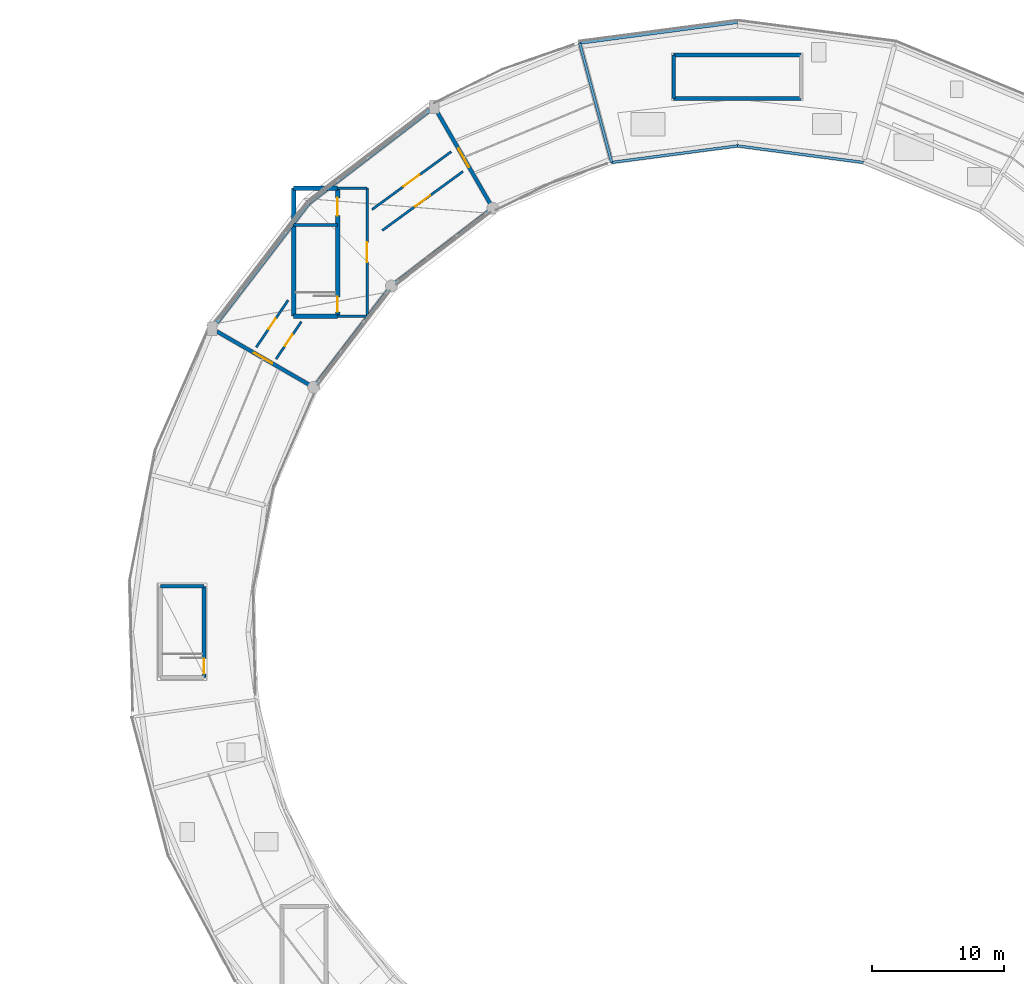
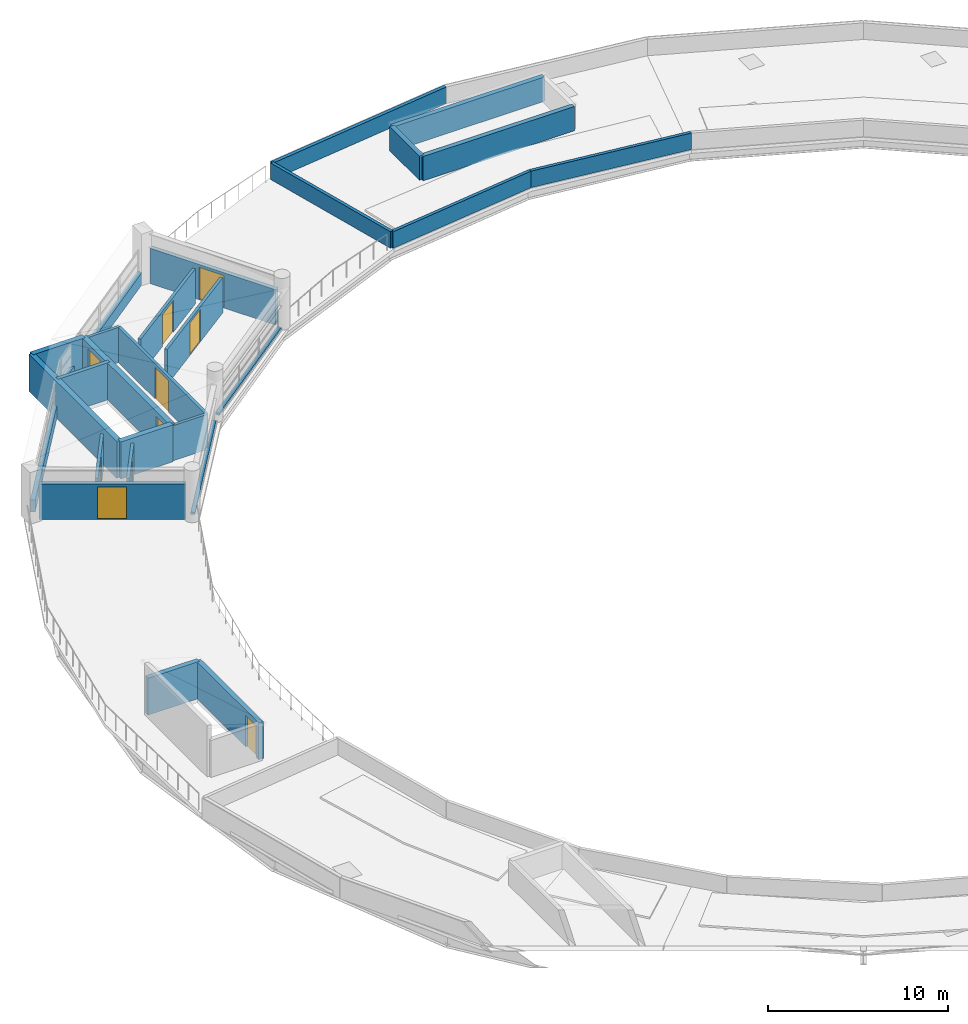
# One storey, part 10 of 12: 27 walls, 10 doors, 10 openings.
"""IFC4 building model written with IfcOpenShell, lengths in metres."""

from ifc_helpers import new_model, si_unit, direction, frame, frame_2d, origin, place, context, subcontext, project, spatial, rectangle, extrude, material, layer, layer_set, type_object, element, fill, save


model = new_model("IFC4")

# Units and contexts
model_context = context("Model", 3, precision=1e-05, world=origin(), true_north=direction((0.0, 1.0)))
body_context = subcontext(model_context, "Body", "Model", "MODEL_VIEW")
ifc_project = project(units=[si_unit("LENGTHUNIT", "METRE"), si_unit("AREAUNIT", "SQUARE_METRE"), si_unit("VOLUMEUNIT", "CUBIC_METRE"), si_unit("PLANEANGLEUNIT", "RADIAN"), si_unit("MASSUNIT", "GRAM", prefix="KILO")], contexts=[model_context])

# Site, building, storey
site_placement = place(None, origin())
site = spatial("IfcSite", under=ifc_project, at=site_placement, CompositionType="ELEMENT")
building_placement = place(site_placement, origin())
building = spatial("IfcBuilding", under=site, at=building_placement, Name="Vespera Passage Community Centre", CompositionType="ELEMENT")
storey_placement = place(building_placement, frame((0.0, 0.0, 24.300048828125)))
storey = spatial("IfcBuildingStorey", under=building, at=storey_placement, Name="ROOF", CompositionType="ELEMENT", Elevation=24.300048828125)

# Wall, opening, door
ifc_material_1 = material(Name="Concrete f'c 45 MPa", Category="concrete")
ifc_layer_1 = layer(ifc_material_1, 0.300048828125)
ifc_layer_set_1 = layer_set([ifc_layer_1], Name="Concrete f'c 45 MPa")
wall_type_1 = type_object("IfcWallType", Name="WT-CORE-300I", PredefinedType="SHEAR", material=ifc_layer_set_1)
wall_1_placement = place(storey_placement, frame((37.449951171875, 68.97509765625, 0.0), z_axis=(0.0, 0.0, 1.0), x_axis=(0.0, -1.0, 0.0)))
wall_1 = element("IfcWall", 1, at=wall_1_placement, inside=storey, type_object=wall_type_1, Name="Core C2 ROOF Shear Wall FRONT", PredefinedType="SHEAR", context=body_context, shape_type="SweptSolid", body=[
    extrude(rectangle(XDim=6.9501953125, YDim=0.300048828125, at=frame_2d((3.47509765625, 0.0))), origin(), (0.0, 0.0, 1.0), 2.5),
])
opening_1_placement = place(wall_1_placement, frame((5.5048828125, 0.0, 0.0)))
opening_1 = element("IfcOpeningElement", 2, at=opening_1_placement, cuts=wall_1, Name="Opening DT-STAIR-90", PredefinedType="OPENING", context=body_context, shape_type="SweptSolid", body=[
    extrude(rectangle(XDim=1.14990234375, YDim=2.14990234375, at=frame_2d((0.574951171875, 1.074951171875))), frame((0.0, 0.159912109375, 0.0), z_axis=(0.0, -1.0, 0.0), x_axis=(1.0, 0.0, 0.0)), (0.0, 0.0, 1.0), 0.320068359375),
])
ifc_material_2 = material(Name="Painted hollow-metal acoustic door", Category="steel")
door_type_1 = type_object("IfcDoorType", Name="DT-STAIR-90", OperationType="NOTDEFINED", PredefinedType="DOOR", material=ifc_material_2)
door_1_placement = place(opening_1_placement, origin())
door_1 = element("IfcDoor", 3, at=door_1_placement, inside=storey, type_object=door_type_1, Name="Core C2 ROOF Exit Stair Door D-071", OperationType="SINGLE_SWING_LEFT", OverallHeight=2.14990234375, OverallWidth=1.14990234375, PredefinedType="DOOR", context=body_context, shape_type="SweptSolid", body=[
    extrude(rectangle(XDim=1.14990234375, YDim=2.14990234375, at=frame_2d((0.574951171875, 1.074951171875))), frame((0.0, 0.02490234375, 0.0), z_axis=(0.0, -1.0, 0.0), x_axis=(1.0, 0.0, 0.0)), (0.0, 0.0, 1.0), 0.050048828125),
])
fill(opening_1, door_1)

# Wall
wall_2_placement = place(storey_placement, frame((34.14990234375, 68.97509765625, 0.0), z_axis=(0.0, 0.0, 1.0), x_axis=(1.0, 0.0, 0.0)))
element("IfcWall", 4, at=wall_2_placement, inside=storey, type_object=wall_type_1, Name="Core C2 ROOF Shear Wall RIGHT", PredefinedType="SHEAR", context=body_context, shape_type="SweptSolid", body=[
    extrude(rectangle(XDim=3.300048828125, YDim=0.300048828125, at=frame_2d((1.64990234375, 0.0))), origin(), (0.0, 0.0, 1.0), 2.5),
])

# Wall, openings, doors
ifc_material_3 = material(Name="Concrete f'c 45 MPa", Category="concrete")
ifc_layer_2 = layer(ifc_material_3, 0.340087890625)
ifc_layer_set_2 = layer_set([ifc_layer_2], Name="Concrete f'c 45 MPa")
wall_type_2 = type_object("IfcWallType", Name="WT-CORE-340I", PredefinedType="SHEAR", material=ifc_layer_set_2)
wall_3_placement = place(storey_placement, frame((47.60302734375, 99.238037109375, 0.0), z_axis=(0.0, 0.0, 1.0), x_axis=(0.0, -1.0, 0.0)))
wall_3 = element("IfcWall", 5, at=wall_3_placement, inside=storey, type_object=wall_type_2, Name="Core C1 ROOF Shear Wall FRONT", PredefinedType="SHEAR", context=body_context, shape_type="SweptSolid", body=[
    extrude(rectangle(XDim=9.72998046875, YDim=0.340087890625, at=frame_2d((4.864990234375, 0.0))), origin(), (0.0, 0.0, 1.0), 2.5),
])
opening_2_placement = place(wall_3_placement, frame((8.264892578125, 0.0, 0.0)))
opening_2 = element("IfcOpeningElement", 6, at=opening_2_placement, cuts=wall_3, Name="Opening DT-STAIR-90", PredefinedType="OPENING", context=body_context, shape_type="SweptSolid", body=[
    extrude(rectangle(XDim=1.14990234375, YDim=2.14990234375, at=frame_2d((0.574951171875, 1.074951171875))), frame((0.0, 0.179931640625, 0.0), z_axis=(0.0, -1.0, 0.0), x_axis=(1.0, 0.0, 0.0)), (0.0, 0.0, 1.0), 0.360107421875),
])
opening_3_placement = place(wall_3_placement, frame((0.7451171875, 0.0, 0.0)))
opening_3 = element("IfcOpeningElement", 7, at=opening_3_placement, cuts=wall_3, Name="Opening DT-LIFT-135", PredefinedType="OPENING", context=body_context, shape_type="SweptSolid", body=[
    extrude(rectangle(XDim=1.35009765625, YDim=2.14990234375, at=frame_2d((0.675048828125, 1.074951171875))), frame((0.0, 0.179931640625, 0.0), z_axis=(0.0, -1.0, 0.0), x_axis=(1.0, 0.0, 0.0)), (0.0, 0.0, 1.0), 0.360107421875),
])
ifc_material_4 = material(Name="Painted hollow-metal acoustic door", Category="steel")
door_type_2 = type_object("IfcDoorType", Name="DT-LIFT-135", OperationType="NOTDEFINED", PredefinedType="DOOR", material=ifc_material_4)
door_2_placement = place(opening_3_placement, origin())
door_2 = element("IfcDoor", 8, at=door_2_placement, inside=storey, type_object=door_type_2, Name="Elevator EL-03 ROOF Landing Door LD-008", OperationType="SLIDING_TO_LEFT", OverallHeight=2.14990234375, OverallWidth=1.35009765625, PredefinedType="DOOR", context=body_context, shape_type="SweptSolid", body=[
    extrude(rectangle(XDim=1.35009765625, YDim=2.14990234375, at=frame_2d((0.675048828125, 1.074951171875))), frame((0.0, 0.02490234375, 0.0), z_axis=(0.0, -1.0, 0.0), x_axis=(1.0, 0.0, 0.0)), (0.0, 0.0, 1.0), 0.050048828125),
])
fill(opening_3, door_2)
door_3_placement = place(opening_2_placement, origin())
door_3 = element("IfcDoor", 9, at=door_3_placement, inside=storey, type_object=door_type_1, Name="Core C1 ROOF Exit Stair Door D-062", OperationType="SINGLE_SWING_RIGHT", OverallHeight=2.14990234375, OverallWidth=1.14990234375, PredefinedType="DOOR", context=body_context, shape_type="SweptSolid", body=[
    extrude(rectangle(XDim=1.14990234375, YDim=2.14990234375, at=frame_2d((0.574951171875, 1.074951171875))), frame((0.0, 0.02490234375, 0.0), z_axis=(0.0, -1.0, 0.0), x_axis=(1.0, 0.0, 0.0)), (0.0, 0.0, 1.0), 0.050048828125),
])
fill(opening_2, door_3)

# Walls
wall_4_placement = place(storey_placement, frame((47.60302734375, 89.508056640625, 0.0), z_axis=(0.0, 0.0, 1.0), x_axis=(-1.0, 0.0, 0.0)))
element("IfcWall", 10, at=wall_4_placement, inside=storey, type_object=wall_type_2, Name="Core C1 ROOF Shear Wall LEFT", PredefinedType="SHEAR", context=body_context, shape_type="SweptSolid", body=[
    extrude(rectangle(XDim=3.340087890625, YDim=0.340087890625, at=frame_2d((1.669921875, 0.0))), origin(), (0.0, 0.0, 1.0), 2.5),
])
wall_5_placement = place(storey_placement, frame((44.262939453125, 89.508056640625, 0.0), z_axis=(0.0, 0.0, 1.0), x_axis=(0.0, 1.0, 0.0)))
element("IfcWall", 11, at=wall_5_placement, inside=storey, type_object=wall_type_2, Name="Core C1 ROOF Shear Wall BACK", PredefinedType="SHEAR", context=body_context, shape_type="SweptSolid", body=[
    extrude(rectangle(XDim=9.72998046875, YDim=0.340087890625, at=frame_2d((4.864990234375, 0.0))), origin(), (0.0, 0.0, 1.0), 2.5),
])
wall_6_placement = place(storey_placement, frame((44.262939453125, 99.238037109375, 0.0), z_axis=(0.0, 0.0, 1.0), x_axis=(1.0, 0.0, 0.0)))
element("IfcWall", 12, at=wall_6_placement, inside=storey, type_object=wall_type_2, Name="Core C1 ROOF Shear Wall RIGHT", PredefinedType="SHEAR", context=body_context, shape_type="SweptSolid", body=[
    extrude(rectangle(XDim=3.340087890625, YDim=0.340087890625, at=frame_2d((1.669921875, 0.0))), origin(), (0.0, 0.0, 1.0), 2.5),
])

# Wall, opening, door
ifc_material_5 = material(Name="Gypsum board acoustic stud partition")
ifc_layer_3 = layer(ifc_material_5, 0.179931640625)
ifc_layer_set_3 = layer_set([ifc_layer_3], Name="Gypsum board acoustic stud partition")
wall_type_3 = type_object("IfcWallType", Name="WT-CORR-180I", PredefinedType="PARTITIONING", material=ifc_layer_set_3)
wall_7_placement = place(storey_placement, frame((49.85302734375, 89.508056640625, 0.0), z_axis=(0.0, 0.0, 1.0), x_axis=(0.0, 1.0, 0.0)))
wall_7 = element("IfcWall", 13, at=wall_7_placement, inside=storey, type_object=wall_type_3, Name="Core C1 ROOF Lift Lobby Front Wall", PredefinedType="PARTITIONING", context=body_context, shape_type="SweptSolid", body=[
    extrude(rectangle(XDim=9.72998046875, YDim=0.179931640625, at=frame_2d((4.864990234375, 0.0))), origin(), (0.0, 0.0, 1.0), 2.375),
])
opening_4_placement = place(wall_7_placement, frame((4.114990234375, 0.0, 0.0)))
opening_4 = element("IfcOpeningElement", 14, at=opening_4_placement, cuts=wall_7, Name="Opening DT-CORR-150", PredefinedType="OPENING", context=body_context, shape_type="SweptSolid", body=[
    extrude(rectangle(XDim=1.5, YDim=2.14990234375, at=frame_2d((0.75, 1.074951171875))), frame((0.0, 0.099853515625, 0.0), z_axis=(0.0, -1.0, 0.0), x_axis=(1.0, 0.0, 0.0)), (0.0, 0.0, 1.0), 0.199951171875),
])
ifc_material_6 = material(Name="Painted hollow-metal acoustic door", Category="steel")
door_type_3 = type_object("IfcDoorType", Name="DT-CORR-150", OperationType="NOTDEFINED", PredefinedType="DOOR", material=ifc_material_6)
door_4_placement = place(opening_4_placement, origin())
door_4 = element("IfcDoor", 15, at=door_4_placement, inside=storey, type_object=door_type_3, Name="Core C1 ROOF Lift Lobby Door D-063", OperationType="SINGLE_SWING_LEFT", OverallHeight=2.14990234375, OverallWidth=1.5, PredefinedType="DOOR", context=body_context, shape_type="SweptSolid", body=[
    extrude(rectangle(XDim=1.5, YDim=2.14990234375, at=frame_2d((0.75, 1.074951171875))), frame((0.0, 0.02490234375, 0.0), z_axis=(0.0, -1.0, 0.0), x_axis=(1.0, 0.0, 0.0)), (0.0, 0.0, 1.0), 0.050048828125),
])
fill(opening_4, door_4)

# Walls
for number, where, z_axis, x_axis, name in (
    (16, (47.60302734375, 89.508056640625, 0.0), (0.0, 0.0, 1.0), (1.0, 0.0, 0.0), "Core C1 ROOF Lift Lobby Side Wall L"),
    (17, (47.60302734375, 99.238037109375, 0.0), (0.0, 0.0, 1.0), (1.0, 0.0, 0.0), "Core C1 ROOF Lift Lobby Side Wall R"),
):
    element("IfcWall", number, at=place(storey_placement, frame(where, z_axis=z_axis, x_axis=x_axis)), inside=storey, type_object=wall_type_3, Name=name, PredefinedType="PARTITIONING", context=body_context, shape_type="SweptSolid", body=[
        extrude(rectangle(XDim=2.25, YDim=0.179931640625, at=frame_2d((1.125, 0.0))), origin(), (0.0, 0.0, 1.0), 2.375),
    ])

# Wall, opening, door
wall_8_placement = place(storey_placement, frame((56.23828125, 102.005859375, 0.0), z_axis=(0.0, 0.0, 1.0), x_axis=(-0.807475778257, -0.589900726841, 0.0)))
wall_8 = element("IfcWall", 18, at=wall_8_placement, inside=storey, type_object=wall_type_3, Name="ROOF Interior Partition V4-ROOF-CO01.1", PredefinedType="PARTITIONING", context=body_context, shape_type="SweptSolid", body=[
    extrude(rectangle(XDim=7.44970703125, YDim=0.179931640625, at=frame_2d((3.724853515625, 0.0))), origin(), (0.0, 0.0, 1.0), 2.375),
])
opening_5_placement = place(wall_8_placement, frame((2.974609375, 0.0, 0.0)))
opening_5 = element("IfcOpeningElement", 19, at=opening_5_placement, cuts=wall_8, Name="Opening DT-CORR-150", PredefinedType="OPENING", context=body_context, shape_type="SweptSolid", body=[
    extrude(rectangle(XDim=1.5, YDim=2.14990234375, at=frame_2d((0.75, 1.074951171875))), frame((0.0, 0.099853515625, 0.0), z_axis=(0.0, -1.0, 0.0), x_axis=(1.0, 0.0, 0.0)), (0.0, 0.0, 1.0), 0.199951171875),
])
door_5_placement = place(opening_5_placement, origin())
door_5 = element("IfcDoor", 20, at=door_5_placement, inside=storey, type_object=door_type_3, Name="ROOF Interior Door D-325", OperationType="SINGLE_SWING_LEFT", OverallHeight=2.14990234375, OverallWidth=1.5, PredefinedType="DOOR", context=body_context, shape_type="SweptSolid", body=[
    extrude(rectangle(XDim=1.5, YDim=2.14990234375, at=frame_2d((0.75, 1.074951171875))), frame((0.0, 0.02490234375, 0.0), z_axis=(0.0, -1.0, 0.0), x_axis=(1.0, 0.0, 0.0)), (0.0, 0.0, 1.0), 0.050048828125),
])
fill(opening_5, door_5)

wall_9_placement = place(storey_placement, frame((57.13427734375, 100.502685546875, 0.0), z_axis=(0.0, 0.0, 1.0), x_axis=(-0.807474114296, -0.58990300452, 0.0)))
wall_9 = element("IfcWall", 21, at=wall_9_placement, inside=storey, type_object=wall_type_3, Name="ROOF Interior Partition V4-ROOF-CI01.1", PredefinedType="PARTITIONING", context=body_context, shape_type="SweptSolid", body=[
    extrude(rectangle(XDim=7.598876953125, YDim=0.179931640625, at=frame_2d((3.79931640625, 0.0))), origin(), (0.0, 0.0, 1.0), 2.375),
])
opening_6_placement = place(wall_9_placement, frame((3.07470703125, 0.0, 0.0)))
opening_6 = element("IfcOpeningElement", 22, at=opening_6_placement, cuts=wall_9, Name="Opening DT-PLANT-145", PredefinedType="OPENING", context=body_context, shape_type="SweptSolid", body=[
    extrude(rectangle(XDim=1.449951171875, YDim=2.199951171875, at=frame_2d((0.72509765625, 1.10009765625))), frame((0.0, 0.099853515625, 0.0), z_axis=(0.0, -1.0, 0.0), x_axis=(1.0, 0.0, 0.0)), (0.0, 0.0, 1.0), 0.199951171875),
])
ifc_material_7 = material(Name="Painted hollow-metal acoustic door", Category="steel")
door_type_4 = type_object("IfcDoorType", Name="DT-PLANT-145", OperationType="NOTDEFINED", PredefinedType="DOOR", material=ifc_material_7)
door_6_placement = place(opening_6_placement, origin())
door_6 = element("IfcDoor", 23, at=door_6_placement, inside=storey, type_object=door_type_4, Name="ROOF Interior Door D-326", OperationType="SINGLE_SWING_RIGHT", OverallHeight=2.199951171875, OverallWidth=1.449951171875, PredefinedType="DOOR", context=body_context, shape_type="SweptSolid", body=[
    extrude(rectangle(XDim=1.449951171875, YDim=2.199951171875, at=frame_2d((0.72509765625, 1.10009765625))), frame((0.0, 0.02490234375, 0.0), z_axis=(0.0, -1.0, 0.0), x_axis=(1.0, 0.0, 0.0)), (0.0, 0.0, 1.0), 0.050048828125),
])
fill(opening_6, door_6)

wall_10_placement = place(storey_placement, frame((43.843017578125, 90.71533203125, 0.0), z_axis=(0.0, 0.0, 1.0), x_axis=(-0.560639668227, -0.828059878517, 0.0)))
wall_10 = element("IfcWall", 24, at=wall_10_placement, inside=storey, type_object=wall_type_3, Name="ROOF Interior Partition V4-ROOF-CO02.1", PredefinedType="PARTITIONING", context=body_context, shape_type="SweptSolid", body=[
    extrude(rectangle(XDim=4.32470703125, YDim=0.179931640625, at=frame_2d((2.162353515625, 0.0))), origin(), (0.0, 0.0, 1.0), 2.375),
])
opening_7_placement = place(wall_10_placement, frame((1.687255859375, 0.0, 0.0)))
opening_7 = element("IfcOpeningElement", 25, at=opening_7_placement, cuts=wall_10, Name="Opening DT-CORR-95", PredefinedType="OPENING", context=body_context, shape_type="SweptSolid", body=[
    extrude(rectangle(XDim=0.949951171875, YDim=2.10009765625, at=frame_2d((0.47509765625, 1.050048828125))), frame((0.0, 0.099853515625, 0.0), z_axis=(0.0, -1.0, 0.0), x_axis=(1.0, 0.0, 0.0)), (0.0, 0.0, 1.0), 0.199951171875),
])
ifc_material_8 = material(Name="Painted hollow-metal acoustic door", Category="steel")
door_type_5 = type_object("IfcDoorType", Name="DT-CORR-95", OperationType="NOTDEFINED", PredefinedType="DOOR", material=ifc_material_8)
door_7_placement = place(opening_7_placement, origin())
door_7 = element("IfcDoor", 26, at=door_7_placement, inside=storey, type_object=door_type_5, Name="ROOF Interior Door D-327", OperationType="SINGLE_SWING_LEFT", OverallHeight=2.10009765625, OverallWidth=0.949951171875, PredefinedType="DOOR", context=body_context, shape_type="SweptSolid", body=[
    extrude(rectangle(XDim=0.949951171875, YDim=2.10009765625, at=frame_2d((0.47509765625, 1.050048828125))), frame((0.0, 0.02490234375, 0.0), z_axis=(0.0, -1.0, 0.0), x_axis=(1.0, 0.0, 0.0)), (0.0, 0.0, 1.0), 0.050048828125),
])
fill(opening_7, door_7)

wall_11_placement = place(storey_placement, frame((44.8505859375, 89.087890625, 0.0), z_axis=(0.0, 0.0, 1.0), x_axis=(-0.560623398139, -0.828070893981, 0.0)))
wall_11 = element("IfcWall", 27, at=wall_11_placement, inside=storey, type_object=wall_type_3, Name="ROOF Interior Partition V4-ROOF-CI02.1", PredefinedType="PARTITIONING", context=body_context, shape_type="SweptSolid", body=[
    extrude(rectangle(XDim=3.43505859375, YDim=0.179931640625, at=frame_2d((1.717529296875, 0.0))), origin(), (0.0, 0.0, 1.0), 2.375),
])
opening_8_placement = place(wall_11_placement, frame((1.192626953125, 0.0, 0.0)))
opening_8 = element("IfcOpeningElement", 28, at=opening_8_placement, cuts=wall_11, Name="Opening DT-CORR-105", PredefinedType="OPENING", context=body_context, shape_type="SweptSolid", body=[
    extrude(rectangle(XDim=1.050048828125, YDim=2.10009765625, at=frame_2d((0.52490234375, 1.050048828125))), frame((0.0, 0.099853515625, 0.0), z_axis=(0.0, -1.0, 0.0), x_axis=(1.0, 0.0, 0.0)), (0.0, 0.0, 1.0), 0.199951171875),
])
ifc_material_9 = material(Name="Painted hollow-metal acoustic door", Category="steel")
door_type_6 = type_object("IfcDoorType", Name="DT-CORR-105", OperationType="NOTDEFINED", PredefinedType="DOOR", material=ifc_material_9)
door_8_placement = place(opening_8_placement, origin())
door_8 = element("IfcDoor", 29, at=door_8_placement, inside=storey, type_object=door_type_6, Name="ROOF Interior Door D-328", OperationType="SINGLE_SWING_RIGHT", OverallHeight=2.10009765625, OverallWidth=1.050048828125, PredefinedType="DOOR", context=body_context, shape_type="SweptSolid", body=[
    extrude(rectangle(XDim=1.050048828125, YDim=2.10009765625, at=frame_2d((0.52490234375, 1.050048828125))), frame((0.0, 0.02490234375, 0.0), z_axis=(0.0, -1.0, 0.0), x_axis=(1.0, 0.0, 0.0)), (0.0, 0.0, 1.0), 0.050048828125),
])
fill(opening_8, door_8)

# Walls
ifc_material_10 = material(Name="Concrete f'c 45 MPa", Category="concrete")
ifc_layer_4 = layer(ifc_material_10, 0.239990234375)
ifc_layer_set_4 = layer_set([ifc_layer_4], Name="Concrete f'c 45 MPa")
wall_type_4 = type_object("IfcWallType", Name="WT-DIV-240I", PredefinedType="SHEAR", material=ifc_layer_set_4)
wall_12_placement = place(storey_placement, frame((47.60302734375, 96.447998046875, 0.0), z_axis=(0.0, 0.0, 1.0), x_axis=(-1.0, 0.0, 0.0)))
element("IfcWall", 30, at=wall_12_placement, inside=storey, type_object=wall_type_4, Name="Core C1 ROOF Hoistway Divider Wall", PredefinedType="SHEAR", context=body_context, shape_type="SweptSolid", body=[
    extrude(rectangle(XDim=3.340087890625, YDim=0.239990234375, at=frame_2d((1.669921875, 0.0))), origin(), (0.0, 0.0, 1.0), 2.5),
])
ifc_material_11 = material(Name="Precast concrete f'c 40 MPa", Category="concrete")
ifc_layer_5 = layer(ifc_material_11, 0.25)
ifc_layer_set_5 = layer_set([ifc_layer_5], Name="Precast concrete f'c 40 MPa")
wall_type_5 = type_object("IfcWallType", Name="WT-EXT-250E", PredefinedType="STANDARD", material=ifc_layer_set_5)
for number, where, z_axis, x_axis, name in (
    (31, (59.119873046875, 97.501220703125, 0.0), (0.0, 0.0, 1.0), (-0.793347085527, -0.608769580289, 0.0), "V4 ROOF Court Spandrel Wall I8"),
    (32, (51.480712890625, 91.524169921875, 0.0), (0.0, 0.0, 1.0), (-0.608769580289, -0.793347085527, 0.0), "V4 ROOF Court Spandrel Wall I9"),
):
    element("IfcWall", number, at=place(storey_placement, frame(where, z_axis=z_axis, x_axis=x_axis)), inside=storey, type_object=wall_type_5, Name=name, PredefinedType="STANDARD", context=body_context, shape_type="SweptSolid", body=[
        extrude(rectangle(XDim=9.0048828125, YDim=0.25, at=frame_2d((4.50244140625, 0.0))), origin(), (0.0, 0.0, 1.0), 0.14990234375),
    ])
ifc_material_12 = material(Name="Precast concrete f'c 40 MPa", Category="concrete")
ifc_layer_6 = layer(ifc_material_12, 0.280029296875)
ifc_layer_set_6 = layer_set([ifc_layer_6], Name="Precast concrete f'c 40 MPa")
wall_type_6 = type_object("IfcWallType", Name="WT-EXT-280E", PredefinedType="STANDARD", material=ifc_layer_set_6)
wall_13_placement = place(storey_placement, frame((45.40234375, 98.09765625, 0.0), z_axis=(0.0, 0.0, 1.0), x_axis=(0.793347191248, 0.608769442514, 0.0)))
element("IfcWall", 33, at=wall_13_placement, inside=storey, type_object=wall_type_6, Name="V4 ROOF Spandrel Wall O8", PredefinedType="STANDARD", context=body_context, shape_type="SweptSolid", body=[
    extrude(rectangle(XDim=11.5869140625, YDim=0.280029296875, at=frame_2d((5.79345703125, 0.0))), origin(), (0.0, 0.0, 1.0), 0.820068359375),
])
wall_14_placement = place(storey_placement, frame((38.43603515625, 89.018798828125, 0.0), z_axis=(0.0, 0.0, 1.0), x_axis=(0.608753523874, 0.793359406052, 0.0)))
element("IfcWall", 34, at=wall_14_placement, inside=storey, type_object=wall_type_6, Name="V4 ROOF Spandrel Wall O9", PredefinedType="STANDARD", context=body_context, shape_type="SweptSolid", body=[
    extrude(rectangle(XDim=11.443603515625, YDim=0.280029296875, at=frame_2d((5.7216796875, 0.0))), origin(), (0.0, 0.0, 1.0), 0.820068359375),
])

# Wall, opening, door
wall_15_placement = place(storey_placement, frame((55.226318359375, 104.945556640625, 0.0), z_axis=(0.0, 0.0, 1.0), x_axis=(0.499969958057, -0.866042747813, 0.0)))
wall_15 = element("IfcWall", 35, at=wall_15_placement, inside=storey, type_object=wall_type_6, Name="V4 ROOF Radial End Facade Wall START", PredefinedType="STANDARD", context=body_context, shape_type="SweptSolid", body=[
    extrude(rectangle(XDim=8.0263671875, YDim=0.280029296875, at=frame_2d((4.01318359375, 0.0))), origin(), (0.0, 0.0, 1.0), 2.3896484375),
])
opening_9_placement = place(wall_15_placement, frame((3.122802734375, 0.0, 0.0)))
opening_9 = element("IfcOpeningElement", 36, at=opening_9_placement, cuts=wall_15, Name="Opening DT-E04", PredefinedType="OPENING", context=body_context, shape_type="SweptSolid", body=[
    extrude(rectangle(XDim=1.60009765625, YDim=2.199951171875, at=frame_2d((0.800048828125, 1.10009765625))), frame((0.0, 0.150146484375, 0.0), z_axis=(0.0, -1.0, 0.0), x_axis=(1.0, 0.0, 0.0)), (0.0, 0.0, 1.0), 0.300048828125),
])
ifc_material_13 = material(Name="Anodized aluminium 6063-T6", Category="aluminium")
door_type_7 = type_object("IfcDoorType", Name="DT-E04", OperationType="NOTDEFINED", PredefinedType="DOOR", material=ifc_material_13)
door_9_placement = place(opening_9_placement, origin())
door_9 = element("IfcDoor", 37, at=door_9_placement, inside=storey, type_object=door_type_7, Name="Rooftop Belvedere Walkway Door", OperationType="SINGLE_SWING_RIGHT", OverallHeight=2.199951171875, OverallWidth=1.60009765625, PredefinedType="DOOR", context=body_context, shape_type="SweptSolid", body=[
    extrude(rectangle(XDim=1.60009765625, YDim=2.199951171875, at=frame_2d((0.800048828125, 1.10009765625))), frame((0.0, 0.02490234375, 0.0), z_axis=(0.0, -1.0, 0.0), x_axis=(1.0, 0.0, 0.0)), (0.0, 0.0, 1.0), 0.050048828125),
])
fill(opening_9, door_9)

wall_16_placement = place(storey_placement, frame((45.505615234375, 84.2607421875, 0.0), z_axis=(0.0, 0.0, 1.0), x_axis=(-0.866037309438, 0.499979378237, 0.0)))
wall_16 = element("IfcWall", 38, at=wall_16_placement, inside=storey, type_object=wall_type_6, Name="V4 ROOF Radial End Facade Wall END", PredefinedType="STANDARD", context=body_context, shape_type="SweptSolid", body=[
    extrude(rectangle(XDim=8.170654296875, YDim=0.280029296875, at=frame_2d((4.08544921875, 0.0))), origin(), (0.0, 0.0, 1.0), 2.3896484375),
])
opening_10_placement = place(wall_16_placement, frame((3.3037109375, 0.0, 0.0)))
opening_10 = element("IfcOpeningElement", 39, at=opening_10_placement, cuts=wall_16, Name="Opening DT-E04", PredefinedType="OPENING", context=body_context, shape_type="SweptSolid", body=[
    extrude(rectangle(XDim=1.60009765625, YDim=2.199951171875, at=frame_2d((0.800048828125, 1.10009765625))), frame((0.0, 0.150146484375, 0.0), z_axis=(0.0, -1.0, 0.0), x_axis=(1.0, 0.0, 0.0)), (0.0, 0.0, 1.0), 0.300048828125),
])
door_10_placement = place(opening_10_placement, origin())
door_10 = element("IfcDoor", 40, at=door_10_placement, inside=storey, type_object=door_type_7, Name="Rooftop West Exit Walkway Door", OperationType="SINGLE_SWING_LEFT", OverallHeight=2.199951171875, OverallWidth=1.60009765625, PredefinedType="DOOR", context=body_context, shape_type="SweptSolid", body=[
    extrude(rectangle(XDim=1.60009765625, YDim=2.199951171875, at=frame_2d((0.800048828125, 1.10009765625))), frame((0.0, 0.02490234375, 0.0), z_axis=(0.0, -1.0, 0.0), x_axis=(1.0, 0.0, 0.0)), (0.0, 0.0, 1.0), 0.050048828125),
])
fill(opening_10, door_10)

# Walls
ifc_material_14 = material(Name="Concrete f'c 45 MPa", Category="concrete")
ifc_layer_7 = layer(ifc_material_14, 0.2900390625)
ifc_layer_set_7 = layer_set([ifc_layer_7], Name="Concrete f'c 45 MPa")
wall_type_7 = type_object("IfcWallType", Name="WT-OVERRUN-290E", PredefinedType="SHEAR", material=ifc_layer_set_7)
for number, where, z_axis, x_axis, name in (
    (41, (73.155029296875, 106.050048828125, 0.0), (0.0, 0.0, 1.0), (1.0, 0.0, 0.0), "Core C4 Overrun Enclosure Wall 1"),
    (42, (82.844970703125, 109.35009765625, 0.0), (0.0, 0.0, 1.0), (-1.0, 0.0, 0.0), "Core C4 Overrun Enclosure Wall 3"),
):
    element("IfcWall", number, at=place(storey_placement, frame(where, z_axis=z_axis, x_axis=x_axis)), inside=storey, type_object=wall_type_7, Name=name, PredefinedType="SHEAR", context=body_context, shape_type="SweptSolid", body=[
        extrude(rectangle(XDim=9.68994140625, YDim=0.2900390625, at=frame_2d((4.844970703125, 0.0))), origin(), (0.0, 0.0, 1.0), 1.64990234375),
    ])
wall_17_placement = place(storey_placement, frame((73.155029296875, 109.35009765625, 0.0), z_axis=(0.0, 0.0, 1.0), x_axis=(0.0, -1.0, 0.0)))
element("IfcWall", 43, at=wall_17_placement, inside=storey, type_object=wall_type_7, Name="Core C4 Overrun Enclosure Wall 4", PredefinedType="SHEAR", context=body_context, shape_type="SweptSolid", body=[
    extrude(rectangle(XDim=3.300048828125, YDim=0.2900390625, at=frame_2d((1.64990234375, 0.0))), origin(), (0.0, 0.0, 1.0), 1.64990234375),
])
ifc_material_15 = material(Name="Precast concrete f'c 40 MPa", Category="concrete")
ifc_layer_8 = layer(ifc_material_15, 0.199951171875)
ifc_layer_set_8 = layer_set([ifc_layer_8], Name="Precast concrete f'c 40 MPa")
wall_type_8 = type_object("IfcWallType", Name="WT-PAR-200E", PredefinedType="PARAPET", material=ifc_layer_set_8)
for number, where, z_axis, x_axis, name in (
    (44, (87.5634765625, 101.19091796875, 0.0), (0.0, 0.0, 1.0), (-0.991445161511, 0.130523912435, 0.0), "V4 Roof Inner Parapet E3"),
    (45, (78.0, 102.449951171875, 0.0), (0.0, 0.0, 1.0), (-0.991445161511, -0.130523912435, 0.0), "V4 Roof Inner Parapet E4"),
):
    element("IfcWall", number, at=place(storey_placement, frame(where, z_axis=z_axis, x_axis=x_axis)), inside=storey, type_object=wall_type_8, Name=name, PredefinedType="PARAPET", context=body_context, shape_type="SweptSolid", body=[
        extrude(rectangle(XDim=9.64599609375, YDim=0.199951171875, at=frame_2d((4.822998046875, 0.0))), origin(), (0.0, 0.0, 1.0), 1.119873046875),
    ])
wall_18_placement = place(storey_placement, frame((68.4365234375, 101.19091796875, 0.0), z_axis=(0.0, 0.0, 1.0), x_axis=(-0.258811813801, 0.965927763881, 0.0)))
element("IfcWall", 46, at=wall_18_placement, inside=storey, type_object=wall_type_8, Name="V4 Roof 105 Deg Divider Parapet", PredefinedType="PARAPET", context=body_context, shape_type="SweptSolid", body=[
    extrude(rectangle(XDim=9.400146484375, YDim=0.199951171875, at=frame_2d((4.7001953125, 0.0))), origin(), (0.0, 0.0, 1.0), 1.119873046875),
])
ifc_material_16 = material(Name="Precast concrete f'c 40 MPa", Category="concrete")
ifc_layer_9 = layer(ifc_material_16, 0.219970703125)
ifc_layer_set_9 = layer_set([ifc_layer_9], Name="Precast concrete f'c 40 MPa")
wall_type_9 = type_object("IfcWallType", Name="WT-PAR-220E", PredefinedType="PARAPET", material=ifc_layer_set_9)
wall_19_placement = place(storey_placement, frame((78.0, 111.85009765625, 0.0), z_axis=(0.0, 0.0, 1.0), x_axis=(-0.991444884284, -0.130526018203, 0.0)))
element("IfcWall", 47, at=wall_19_placement, inside=storey, type_object=wall_type_9, Name="V4 Roof Outer Parapet E4", PredefinedType="PARAPET", context=body_context, shape_type="SweptSolid", body=[
    extrude(rectangle(XDim=12.099853515625, YDim=0.219970703125, at=frame_2d((6.0498046875, 0.0))), origin(), (0.0, 0.0, 1.0), 1.119873046875),
])

save(model, "model.ifc")
